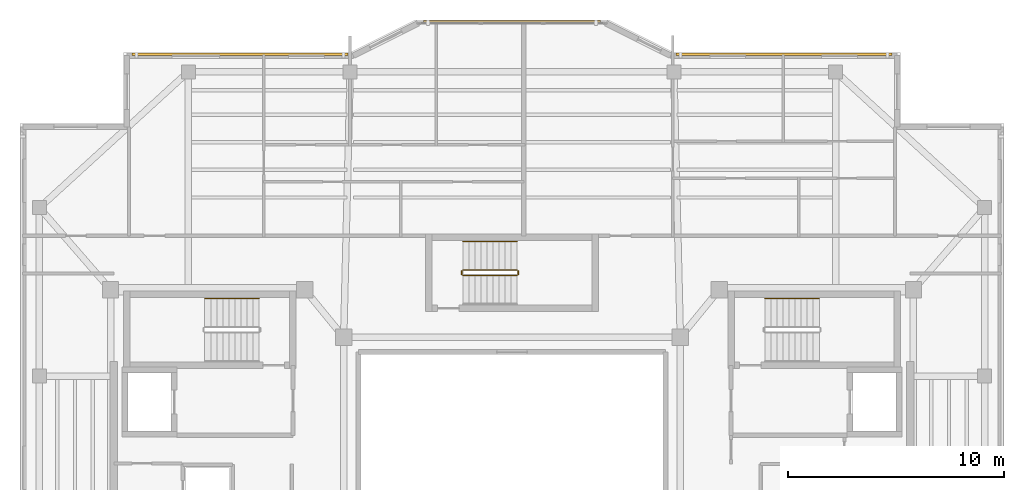
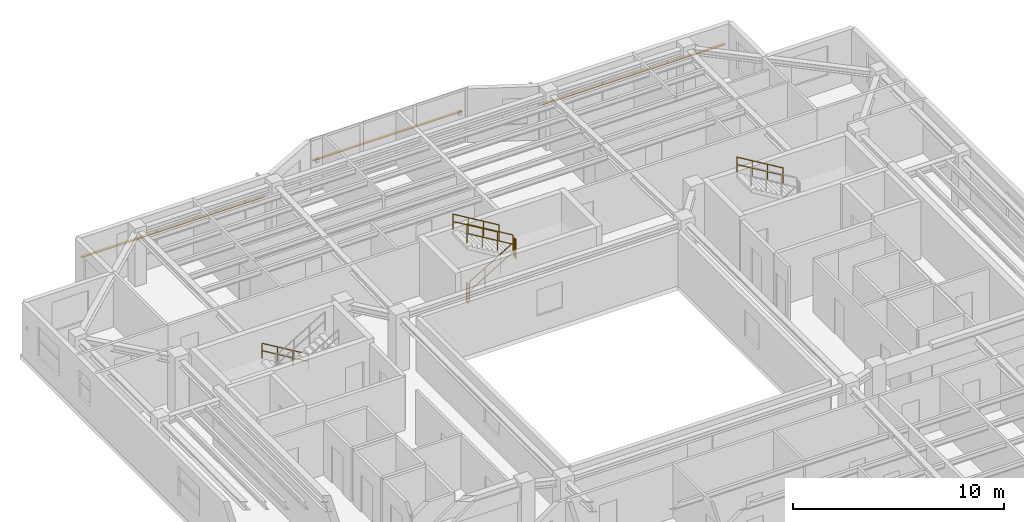
# One storey, part 13 of 13: 7 railings, 3 shading devices.
"""IFC4 building model written with IfcOpenShell, lengths in metres."""

from ifc_helpers import new_model, si_unit, direction, frame, origin, origin_2d, place, context, subcontext, project, spatial, rectangle, circle, extrude, material, material_profile, profile_set, type_object, element, save


model = new_model("IFC4")

# Units and contexts
model_context = context("Model", 3, precision=1e-05, world=origin(), true_north=direction((0.0, 1.0)))
body_context = subcontext(model_context, "Body", "Model", "MODEL_VIEW")
ifc_project = project(units=[si_unit("LENGTHUNIT", "METRE"), si_unit("AREAUNIT", "SQUARE_METRE"), si_unit("VOLUMEUNIT", "CUBIC_METRE"), si_unit("PLANEANGLEUNIT", "RADIAN"), si_unit("MASSUNIT", "GRAM", prefix="KILO")], contexts=[model_context])

# Site, building, storey
site_placement = place(None, origin())
site = spatial("IfcSite", under=ifc_project, at=site_placement, CompositionType="ELEMENT")
building_placement = place(site_placement, origin())
building = spatial("IfcBuilding", under=site, at=building_placement, Name="Tarnavaz Court Tower", CompositionType="ELEMENT")
storey_placement = place(building_placement, frame((0.0, 0.0, 248.199951171875)))
storey = spatial("IfcBuildingStorey", under=building, at=storey_placement, Name="L67", CompositionType="ELEMENT", Elevation=248.199951171875)

# Railings
ifc_material_1 = material(Name="Brushed Stainless Steel", Category="steel")
railing_type_1 = type_object("IfcRailingType", Name="RL-HANDRAIL-900", PredefinedType="HANDRAIL", material=ifc_material_1)
for number, where, name in (
    (1, (-11.719970703125, 9.590087890625, 0.16748046875), "L67 ST-W1 stair handrail 1"),
    (2, (14.239990234375, 9.590087890625, 1.842529296875), "L67 ST-E1 stair handrail 2"),
    (3, (0.239990234375, 12.239990234375, 1.842529296875), "L67 ST-N1 stair handrail 2"),
):
    element("IfcRailing", number, at=place(storey_placement, frame(where)), inside=storey, type_object=railing_type_1, Name=name, PredefinedType="HANDRAIL", context=body_context, shape_type="SweptSolid", body=[
        extrude(circle(Radius=0.02392578125, at=origin_2d()), frame((0.0, 0.0, 0.8759765625), z_axis=(-0.858159760407, 0.0, 0.513382728203), x_axis=(0.0, -1.0, 0.0)), (0.0, 0.0, 1.0), 2.9365234375),
        extrude(circle(Radius=0.02392578125, at=origin_2d()), frame((0.0, 0.0, 0.449951171875), z_axis=(-0.858159760407, 0.0, 0.513382728203), x_axis=(0.0, -1.0, 0.0)), (0.0, 0.0, 1.0), 2.9365234375),
        extrude(circle(Radius=0.02099609375, at=origin_2d()), origin(), (0.0, 0.0, 1.0), 0.851806640625),
        extrude(circle(Radius=0.02099609375, at=origin_2d()), frame((-0.840087890625, 0.0, 0.50244140625)), (0.0, 0.0, 1.0), 0.851806640625),
        extrude(circle(Radius=0.02099609375, at=origin_2d()), frame((-1.679931640625, 0.0, 1.005126953125)), (0.0, 0.0, 1.0), 0.851806640625),
        extrude(circle(Radius=0.02099609375, at=origin_2d()), frame((-2.52001953125, 0.0, 1.507568359375)), (0.0, 0.0, 1.0), 0.851806640625),
    ])
ifc_material_2 = material(Name="Galvanized Painted Tubular Steel", Category="steel")
railing_type_2 = type_object("IfcRailingType", Name="RL-STGUARD-1120", PredefinedType="GUARDRAIL", material=ifc_material_2)
railing_1_placement = place(storey_placement, frame((-2.280029296875, 10.669921875, 0.16748046875)))
element("IfcRailing", 4, at=railing_1_placement, inside=storey, type_object=railing_type_2, Name="L67 ST-N1 stair guard 1", PredefinedType="GUARDRAIL", context=body_context, shape_type="SweptSolid", body=[
    extrude(circle(Radius=0.02392578125, at=origin_2d()), frame((0.0, 0.0, 1.09619140625), z_axis=(0.858159760407, 0.0, 0.513382728203), x_axis=(0.0, 1.0, 0.0)), (0.0, 0.0, 1.0), 2.9365234375),
    extrude(circle(Radius=0.02392578125, at=origin_2d()), frame((0.0, 0.0, 0.56005859375), z_axis=(0.858159760407, 0.0, 0.513382728203), x_axis=(0.0, 1.0, 0.0)), (0.0, 0.0, 1.0), 2.9365234375),
    extrude(circle(Radius=0.02099609375, at=origin_2d()), origin(), (0.0, 0.0, 1.0), 1.072021484375),
    extrude(circle(Radius=0.02099609375, at=origin_2d()), frame((0.840087890625, 0.0, 0.50244140625)), (0.0, 0.0, 1.0), 1.072021484375),
    extrude(circle(Radius=0.02099609375, at=origin_2d()), frame((1.679931640625, 0.0, 1.005126953125)), (0.0, 0.0, 1.0), 1.072021484375),
    extrude(circle(Radius=0.02099609375, at=origin_2d()), frame((2.52001953125, 0.0, 1.507568359375)), (0.0, 0.0, 1.0), 1.072021484375),
])
railing_2_placement = place(storey_placement, frame((0.2900390625, 10.719970703125, 1.675048828125)))
element("IfcRailing", 5, at=railing_2_placement, inside=storey, type_object=railing_type_2, Name="L67 ST-N1 stair guard 2", PredefinedType="GUARDRAIL", context=body_context, shape_type="SweptSolid", body=[
    extrude(circle(Radius=0.02392578125, at=origin_2d()), frame((0.0, 0.0, 1.09619140625), z_axis=(0.0, 1.0, 0.0), x_axis=(-1.0, 0.0, 0.0)), (0.0, 0.0, 1.0), 0.150146484375),
    extrude(circle(Radius=0.02392578125, at=origin_2d()), frame((0.0, 0.0, 0.56005859375), z_axis=(0.0, 1.0, 0.0), x_axis=(-1.0, 0.0, 0.0)), (0.0, 0.0, 1.0), 0.150146484375),
    extrude(circle(Radius=0.02099609375, at=origin_2d()), origin(), (0.0, 0.0, 1.0), 1.072021484375),
    extrude(circle(Radius=0.02099609375, at=origin_2d()), frame((0.0, 0.150146484375, 0.0)), (0.0, 0.0, 1.0), 1.072021484375),
])
railing_3_placement = place(storey_placement, frame((0.239990234375, 10.919921875, 1.842529296875)))
element("IfcRailing", 6, at=railing_3_placement, inside=storey, type_object=railing_type_2, Name="L67 ST-N1 stair guard 3", PredefinedType="GUARDRAIL", context=body_context, shape_type="SweptSolid", body=[
    extrude(circle(Radius=0.02392578125, at=origin_2d()), frame((0.0, 0.0, 1.09619140625), z_axis=(-0.858159760407, 0.0, 0.513382728203), x_axis=(0.0, -1.0, 0.0)), (0.0, 0.0, 1.0), 2.9365234375),
    extrude(circle(Radius=0.02392578125, at=origin_2d()), frame((0.0, 0.0, 0.56005859375), z_axis=(-0.858159760407, 0.0, 0.513382728203), x_axis=(0.0, -1.0, 0.0)), (0.0, 0.0, 1.0), 2.9365234375),
    extrude(circle(Radius=0.02099609375, at=origin_2d()), origin(), (0.0, 0.0, 1.0), 1.072021484375),
    extrude(circle(Radius=0.02099609375, at=origin_2d()), frame((-0.840087890625, 0.0, 0.50244140625)), (0.0, 0.0, 1.0), 1.072021484375),
    extrude(circle(Radius=0.02099609375, at=origin_2d()), frame((-1.679931640625, 0.0, 1.005126953125)), (0.0, 0.0, 1.0), 1.072021484375),
    extrude(circle(Radius=0.02099609375, at=origin_2d()), frame((-2.52001953125, 0.0, 1.507568359375)), (0.0, 0.0, 1.0), 1.072021484375),
])
railing_4_placement = place(storey_placement, frame((-2.330078125, 10.719970703125, 0.0)))
element("IfcRailing", 7, at=railing_4_placement, inside=storey, type_object=railing_type_2, Name="L67 ST-N1 stair guard 4", PredefinedType="GUARDRAIL", context=body_context, shape_type="SweptSolid", body=[
    extrude(circle(Radius=0.02392578125, at=origin_2d()), frame((0.0, 0.0, 1.09619140625), z_axis=(0.0, 1.0, 0.0), x_axis=(-1.0, 0.0, 0.0)), (0.0, 0.0, 1.0), 0.150146484375),
    extrude(circle(Radius=0.02392578125, at=origin_2d()), frame((0.0, 0.0, 0.56005859375), z_axis=(0.0, 1.0, 0.0), x_axis=(-1.0, 0.0, 0.0)), (0.0, 0.0, 1.0), 0.150146484375),
    extrude(circle(Radius=0.02099609375, at=origin_2d()), origin(), (0.0, 0.0, 1.0), 1.072021484375),
    extrude(circle(Radius=0.02099609375, at=origin_2d()), frame((0.0, 0.150146484375, 0.0)), (0.0, 0.0, 1.0), 1.072021484375),
])

# Shading devices
ifc_material_3 = material(Name="Kiln-Fired Khorasan Terracotta Ceramic", Category="masonry")
ifc_material_profile = material_profile(ifc_material_3, rectangle(XDim=0.1201171875, YDim=0.06005859375, at=origin_2d()), Name="TC BAGUETTE 120X60")
ifc_profile_set = profile_set([ifc_material_profile], Name="Kiln-Fired Khorasan Terracotta Ceramic")
shading_device_type = type_object("IfcShadingDeviceType", Name="SD-BAG-120", PredefinedType="USERDEFINED", material=ifc_profile_set)
shading_device_1_placement = place(storey_placement, frame((-17.60009765625, 20.909912109375, 1.85009765625), z_axis=(1.0, 0.0, 0.0), x_axis=(0.0, 1.0, 0.0)))
element("IfcShadingDevice", 8, at=shading_device_1_placement, inside=storey, type_object=shading_device_type, Name="L67 Terracotta Baguette Screen FBG05", ObjectType="BAGUETTE", PredefinedType="USERDEFINED", context=body_context, shape_type="SweptSolid", body=[
    extrude(rectangle(XDim=0.1201171875, YDim=0.06005859375, at=origin_2d()), origin(), (0.0, 0.0, 1.0), 10.0),
])
shading_device_2_placement = place(storey_placement, frame((-4.10009765625, 22.409912109375, 1.800048828125), z_axis=(1.0, 0.0, 0.0), x_axis=(0.0, 1.0, 0.0)))
element("IfcShadingDevice", 9, at=shading_device_2_placement, inside=storey, type_object=shading_device_type, Name="L67 Terracotta Baguette Screen PBG7", ObjectType="BAGUETTE", PredefinedType="USERDEFINED", context=body_context, shape_type="SweptSolid", body=[
    extrude(rectangle(XDim=0.1201171875, YDim=0.06005859375, at=origin_2d()), origin(), (0.0, 0.0, 1.0), 8.2001953125),
])
shading_device_3_placement = place(storey_placement, frame((7.60009765625, 20.909912109375, 1.85009765625), z_axis=(1.0, 0.0, 0.0), x_axis=(0.0, 1.0, 0.0)))
element("IfcShadingDevice", 10, at=shading_device_3_placement, inside=storey, type_object=shading_device_type, Name="L67 Terracotta Baguette Screen FBG09", ObjectType="BAGUETTE", PredefinedType="USERDEFINED", context=body_context, shape_type="SweptSolid", body=[
    extrude(rectangle(XDim=0.1201171875, YDim=0.06005859375, at=origin_2d()), origin(), (0.0, 0.0, 1.0), 10.0),
])

save(model, "model.ifc")
